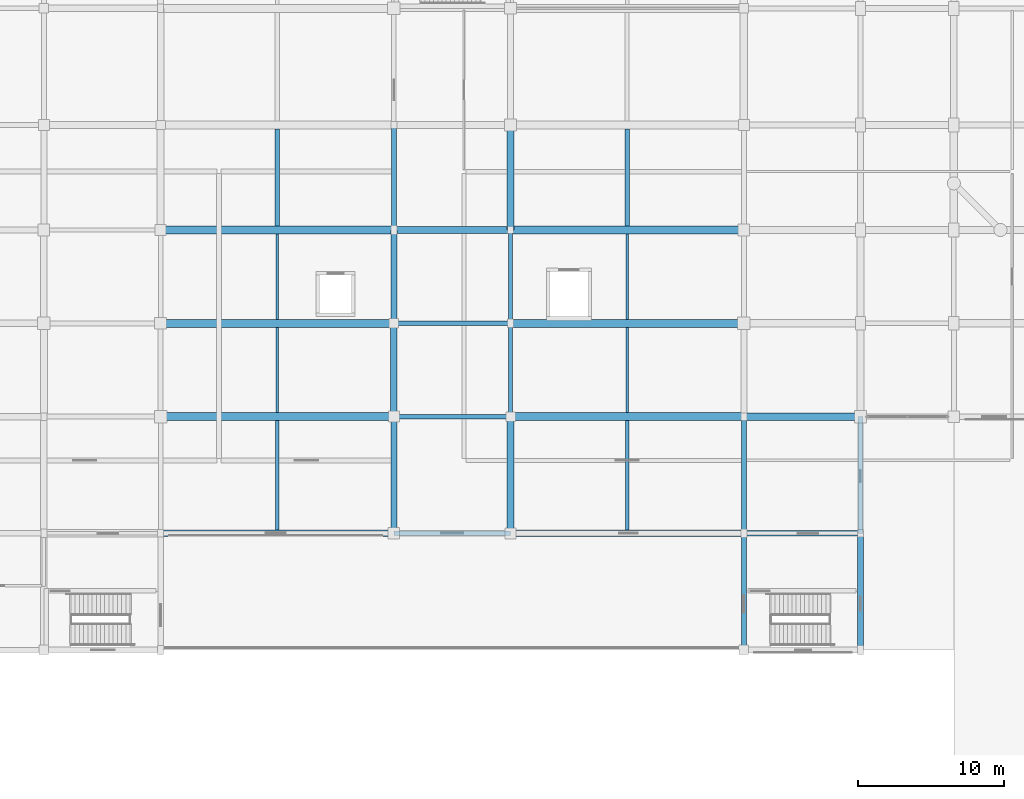
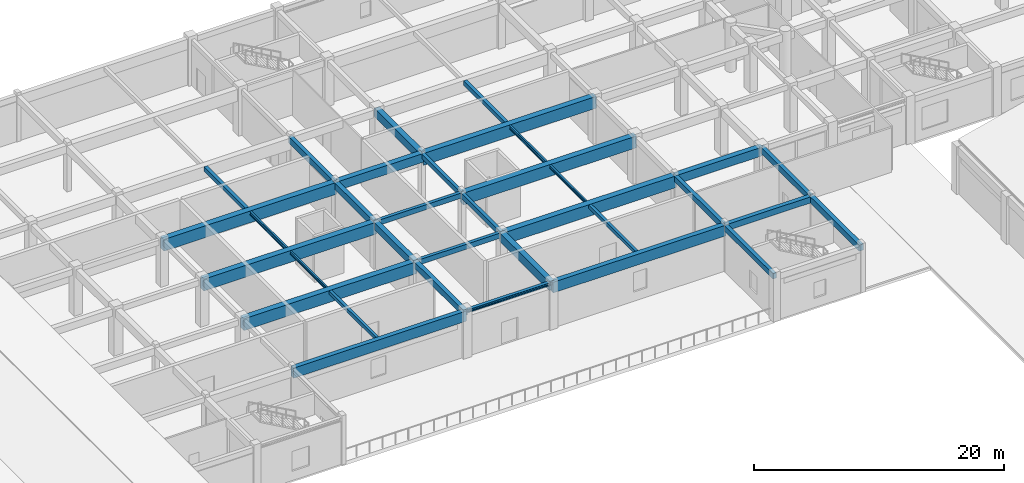
# One storey, part 13 of 61: 34 beams.
"""IFC4 building model written with IfcOpenShell, lengths in metres."""

from ifc_helpers import new_model, si_unit, direction, frame, origin, origin_2d, place, context, subcontext, project, spatial, rectangle, i_section, extrude, material, material_profile, profile_set, type_object, element, save


model = new_model("IFC4")

# Units and contexts
model_context = context("Model", 3, precision=1e-05, world=origin(), true_north=direction((0.0, 1.0)))
body_context = subcontext(model_context, "Body", "Model", "MODEL_VIEW")
ifc_project = project(units=[si_unit("LENGTHUNIT", "METRE"), si_unit("AREAUNIT", "SQUARE_METRE"), si_unit("VOLUMEUNIT", "CUBIC_METRE"), si_unit("PLANEANGLEUNIT", "RADIAN"), si_unit("MASSUNIT", "GRAM", prefix="KILO")], contexts=[model_context])

# Site, building, storey
site_placement = place(None, origin())
site = spatial("IfcSite", under=ifc_project, at=site_placement, CompositionType="ELEMENT")
building_placement = place(site_placement, origin())
building = spatial("IfcBuilding", under=site, at=building_placement, Name="Vellmiral Cinema and Media Centre", CompositionType="ELEMENT")
storey_placement = place(building_placement, frame((0.0, 0.0, 10.800048828125)))
storey = spatial("IfcBuildingStorey", under=building, at=storey_placement, Name="L02", CompositionType="ELEMENT", Elevation=10.800048828125)

# Beams
ifc_material_1 = material(Name="Concrete C40/50", Category="concrete")
ifc_material_profile_1 = material_profile(ifc_material_1, rectangle(XDim=0.300048828125, YDim=0.449951171875, at=origin_2d()), Name="RC 300x450")
ifc_profile_set_1 = profile_set([ifc_material_profile_1], Name="Concrete C40/50")
beam_type_1 = type_object("IfcBeamType", Name="BM-RC-300x450", PredefinedType="BEAM", material=ifc_profile_set_1)
beam_1_placement = place(storey_placement, frame((86.39990234375, 65.60009765625, 4.27001953125), z_axis=(0.0, 1.0, 0.0), x_axis=(-1.0, 0.0, 0.0)))
element("IfcBeam", 1, at=beam_1_placement, inside=storey, type_object=beam_type_1, Name="Grid Beam L02-Y127", PredefinedType="BEAM", context=body_context, shape_type="SweptSolid", body=[
    extrude(rectangle(XDim=0.300048828125, YDim=0.449951171875, at=origin_2d()), origin(), (0.0, 0.0, 1.0), 6.39990234375),
])
ifc_material_2 = material(Name="Concrete C40/50", Category="concrete")
ifc_material_profile_2 = material_profile(ifc_material_2, rectangle(XDim=0.300048828125, YDim=0.5, at=origin_2d()), Name="RC 300x500")
ifc_profile_set_2 = profile_set([ifc_material_profile_2], Name="Concrete C40/50")
beam_type_2 = type_object("IfcBeamType", Name="BM-RC-300x500", PredefinedType="BEAM", material=ifc_profile_set_2)
for number, where, z_axis, x_axis, name in (
    (2, (78.39990234375, 59.199951171875, 4.244873046875), (1.0, 0.0, 0.0), (0.0, 1.0, 0.0), "Grid Beam L02-X013"),
    (3, (78.39990234375, 65.60009765625, 4.244873046875), (1.0, 0.0, 0.0), (0.0, 1.0, 0.0), "Grid Beam L02-X024"),
):
    element("IfcBeam", number, at=place(storey_placement, frame(where, z_axis=z_axis, x_axis=x_axis)), inside=storey, type_object=beam_type_2, Name=name, PredefinedType="BEAM", context=body_context, shape_type="SweptSolid", body=[
        extrude(rectangle(XDim=0.300048828125, YDim=0.5, at=origin_2d()), origin(), (0.0, 0.0, 1.0), 8.0),
    ])
beam_2_placement = place(storey_placement, frame((86.39990234375, 59.199951171875, 4.244873046875), z_axis=(0.0, 1.0, 0.0), x_axis=(-1.0, 0.0, 0.0)))
element("IfcBeam", 4, at=beam_2_placement, inside=storey, type_object=beam_type_2, Name="Grid Beam L02-Y126", PredefinedType="BEAM", context=body_context, shape_type="SweptSolid", body=[
    extrude(rectangle(XDim=0.300048828125, YDim=0.5, at=origin_2d()), origin(), (0.0, 0.0, 1.0), 6.400146484375),
])
ifc_material_3 = material(Name="Concrete C40/50", Category="concrete")
ifc_material_profile_3 = material_profile(ifc_material_3, rectangle(XDim=0.35009765625, YDim=0.550048828125, at=origin_2d()), Name="RC 350x550")
ifc_profile_set_3 = profile_set([ifc_material_profile_3], Name="Concrete C40/50")
beam_type_3 = type_object("IfcBeamType", Name="BM-RC-350x550", PredefinedType="BEAM", material=ifc_profile_set_3)
beam_3_placement = place(storey_placement, frame((102.39990234375, 51.199951171875, 4.219970703125), z_axis=(0.0, 1.0, 0.0), x_axis=(-1.0, 0.0, 0.0)))
element("IfcBeam", 5, at=beam_3_placement, inside=storey, type_object=beam_type_3, Name="Grid Beam L02-Y132", PredefinedType="BEAM", context=body_context, shape_type="SweptSolid", body=[
    extrude(rectangle(XDim=0.35009765625, YDim=0.550048828125, at=origin_2d()), origin(), (0.0, 0.0, 1.0), 8.0),
])
ifc_material_4 = material(Name="Concrete C40/50", Category="concrete")
ifc_material_profile_4 = material_profile(ifc_material_4, rectangle(XDim=0.35009765625, YDim=0.60009765625, at=origin_2d()), Name="RC 350x600")
ifc_profile_set_4 = profile_set([ifc_material_profile_4], Name="Concrete C40/50")
beam_type_4 = type_object("IfcBeamType", Name="BM-RC-350x600", PredefinedType="BEAM", material=ifc_profile_set_4)
beam_4_placement = place(storey_placement, frame((78.39990234375, 72.0, 4.195068359375), z_axis=(0.0, 1.0, 0.0), x_axis=(-1.0, 0.0, 0.0)))
element("IfcBeam", 6, at=beam_4_placement, inside=storey, type_object=beam_type_4, Name="Grid Beam L02-Y122", PredefinedType="BEAM", context=body_context, shape_type="SweptSolid", body=[
    extrude(rectangle(XDim=0.35009765625, YDim=0.60009765625, at=origin_2d()), origin(), (0.0, 0.0, 1.0), 7.199951171875),
])
ifc_material_5 = material(Name="Concrete C40/50", Category="concrete")
ifc_material_profile_5 = material_profile(ifc_material_5, rectangle(XDim=0.39990234375, YDim=0.60009765625, at=origin_2d()), Name="RC 400x600")
ifc_profile_set_5 = profile_set([ifc_material_profile_5], Name="Concrete C40/50")
beam_type_5 = type_object("IfcBeamType", Name="BM-RC-400x600", PredefinedType="BEAM", material=ifc_profile_set_5)
for number, where, z_axis, x_axis, name in (
    (7, (102.39990234375, 51.199951171875, 4.195068359375), (1.0, 0.0, 0.0), (0.0, 1.0, 0.0), "Grid Beam L02-X009"),
    (8, (78.39990234375, 51.199951171875, 4.195068359375), (0.0, 1.0, 0.0), (-1.0, 0.0, 0.0), "Grid Beam L02-Y119"),
):
    element("IfcBeam", number, at=place(storey_placement, frame(where, z_axis=z_axis, x_axis=x_axis)), inside=storey, type_object=beam_type_5, Name=name, PredefinedType="BEAM", context=body_context, shape_type="SweptSolid", body=[
        extrude(rectangle(XDim=0.39990234375, YDim=0.60009765625, at=origin_2d()), origin(), (0.0, 0.0, 1.0), 8.0),
    ])
ifc_material_6 = material(Name="Concrete C40/50", Category="concrete")
ifc_material_profile_6 = material_profile(ifc_material_6, rectangle(XDim=0.39990234375, YDim=0.64990234375, at=origin_2d()), Name="RC 400x650")
ifc_profile_set_6 = profile_set([ifc_material_profile_6], Name="Concrete C40/50")
beam_type_6 = type_object("IfcBeamType", Name="BM-RC-400x650", PredefinedType="BEAM", material=ifc_profile_set_6)
beam_5_placement = place(storey_placement, frame((78.39990234375, 65.60009765625, 4.169921875), z_axis=(0.0, 1.0, 0.0), x_axis=(-1.0, 0.0, 0.0)))
element("IfcBeam", 9, at=beam_5_placement, inside=storey, type_object=beam_type_6, Name="Grid Beam L02-Y121", PredefinedType="BEAM", context=body_context, shape_type="SweptSolid", body=[
    extrude(rectangle(XDim=0.39990234375, YDim=0.64990234375, at=origin_2d()), origin(), (0.0, 0.0, 1.0), 6.39990234375),
])
ifc_material_7 = material(Name="Concrete C40/50", Category="concrete")
ifc_material_profile_7 = material_profile(ifc_material_7, rectangle(XDim=0.449951171875, YDim=0.699951171875, at=origin_2d()), Name="RC 450x700")
ifc_profile_set_7 = profile_set([ifc_material_profile_7], Name="Concrete C40/50")
beam_type_7 = type_object("IfcBeamType", Name="BM-RC-450x700", PredefinedType="BEAM", material=ifc_profile_set_7)
beam_6_placement = place(storey_placement, frame((78.39990234375, 59.199951171875, 4.14501953125), z_axis=(0.0, 1.0, 0.0), x_axis=(-1.0, 0.0, 0.0)))
element("IfcBeam", 10, at=beam_6_placement, inside=storey, type_object=beam_type_7, Name="Grid Beam L02-Y120", PredefinedType="BEAM", context=body_context, shape_type="SweptSolid", body=[
    extrude(rectangle(XDim=0.449951171875, YDim=0.699951171875, at=origin_2d()), origin(), (0.0, 0.0, 1.0), 6.400146484375),
])
ifc_material_8 = material(Name="Concrete C40/50", Category="concrete")
ifc_material_profile_8 = material_profile(ifc_material_8, rectangle(XDim=0.5, YDim=0.800048828125, at=origin_2d()), Name="RC 500x800")
ifc_profile_set_8 = profile_set([ifc_material_profile_8], Name="Concrete C40/50")
beam_type_8 = type_object("IfcBeamType", Name="BM-RC-500x800", PredefinedType="BEAM", material=ifc_profile_set_8)
beam_7_placement = place(storey_placement, frame((86.39990234375, 72.0, 4.094970703125), z_axis=(0.0, 1.0, 0.0), x_axis=(-1.0, 0.0, 0.0)))
element("IfcBeam", 11, at=beam_7_placement, inside=storey, type_object=beam_type_8, Name="Grid Beam L02-Y128", PredefinedType="BEAM", context=body_context, shape_type="SweptSolid", body=[
    extrude(rectangle(XDim=0.5, YDim=0.800048828125, at=origin_2d()), origin(), (0.0, 0.0, 1.0), 7.199951171875),
])
ifc_material_9 = material(Name="Concrete C40/50", Category="concrete")
ifc_material_profile_9 = material_profile(ifc_material_9, rectangle(XDim=0.5, YDim=0.85009765625, at=origin_2d()), Name="RC 500x850")
ifc_profile_set_9 = profile_set([ifc_material_profile_9], Name="Concrete C40/50")
beam_type_9 = type_object("IfcBeamType", Name="BM-RC-500x850", PredefinedType="BEAM", material=ifc_profile_set_9)
for number, where, z_axis, x_axis, name in (
    (12, (102.39990234375, 59.199951171875, 4.070068359375), (1.0, 0.0, 0.0), (0.0, 1.0, 0.0), "Grid Beam L02-X015"),
    (13, (78.39990234375, 72.0, 4.070068359375), (1.0, 0.0, 0.0), (0.0, 1.0, 0.0), "Grid Beam L02-X037"),
    (14, (86.39990234375, 51.199951171875, 4.070068359375), (0.0, 1.0, 0.0), (-1.0, 0.0, 0.0), "Grid Beam L02-Y125"),
):
    element("IfcBeam", number, at=place(storey_placement, frame(where, z_axis=z_axis, x_axis=x_axis)), inside=storey, type_object=beam_type_9, Name=name, PredefinedType="BEAM", context=body_context, shape_type="SweptSolid", body=[
        extrude(rectangle(XDim=0.5, YDim=0.85009765625, at=origin_2d()), origin(), (0.0, 0.0, 1.0), 8.0),
    ])
ifc_material_10 = material(Name="Concrete C40/50", Category="concrete")
ifc_material_profile_10 = material_profile(ifc_material_10, rectangle(XDim=0.550048828125, YDim=1.14990234375, at=origin_2d()), Name="RC 550x1150")
ifc_profile_set_10 = profile_set([ifc_material_profile_10], Name="Concrete C40/50")
beam_type_10 = type_object("IfcBeamType", Name="BM-RCG-550x1150", PredefinedType="BEAM", material=ifc_profile_set_10)
for number, where, z_axis, x_axis, name in (
    (15, (62.39990234375, 59.199951171875, 3.919921875), (1.0, 0.0, 0.0), (0.0, 1.0, 0.0), "Grid Beam L02-X012"),
    (16, (86.39990234375, 59.199951171875, 3.919921875), (1.0, 0.0, 0.0), (0.0, 1.0, 0.0), "Grid Beam L02-X014"),
    (17, (62.39990234375, 65.60009765625, 3.919921875), (1.0, 0.0, 0.0), (0.0, 1.0, 0.0), "Grid Beam L02-X023"),
    (18, (86.39990234375, 65.60009765625, 3.919921875), (1.0, 0.0, 0.0), (0.0, 1.0, 0.0), "Grid Beam L02-X025"),
    (19, (62.39990234375, 72.0, 3.919921875), (1.0, 0.0, 0.0), (0.0, 1.0, 0.0), "Grid Beam L02-X036"),
    (20, (86.39990234375, 72.0, 3.919921875), (1.0, 0.0, 0.0), (0.0, 1.0, 0.0), "Grid Beam L02-X038"),
):
    element("IfcBeam", number, at=place(storey_placement, frame(where, z_axis=z_axis, x_axis=x_axis)), inside=storey, type_object=beam_type_10, Name=name, PredefinedType="BEAM", context=body_context, shape_type="SweptSolid", body=[
        extrude(rectangle(XDim=0.550048828125, YDim=1.14990234375, at=origin_2d()), origin(), (0.0, 0.0, 1.0), 16.0),
    ])
ifc_material_11 = material(Name="Concrete C40/50", Category="concrete")
ifc_material_profile_11 = material_profile(ifc_material_11, rectangle(XDim=0.25, YDim=0.35009765625, at=origin_2d()), Name="RC 250x350")
ifc_profile_set_11 = profile_set([ifc_material_profile_11], Name="Concrete C40/50")
beam_type_11 = type_object("IfcBeamType", Name="JST-RC-250x350", PredefinedType="JOIST", material=ifc_profile_set_11)
beam_8_placement = place(storey_placement, frame((70.39990234375, 51.409912109375, 4.320068359375), z_axis=(0.0, 1.0, 0.0), x_axis=(-1.0, 0.0, 0.0)))
element("IfcBeam", 21, at=beam_8_placement, inside=storey, type_object=beam_type_11, Name="Secondary Floor Joist L02-001", PredefinedType="JOIST", context=body_context, shape_type="SweptSolid", body=[
    extrude(rectangle(XDim=0.25, YDim=0.35009765625, at=origin_2d()), origin(), (0.0, 0.0, 1.0), 7.51513671875),
])
beam_9_placement = place(storey_placement, frame((94.39990234375, 51.425048828125, 4.320068359375), z_axis=(0.0, 1.0, 0.0), x_axis=(-1.0, 0.0, 0.0)))
element("IfcBeam", 22, at=beam_9_placement, inside=storey, type_object=beam_type_11, Name="Secondary Floor Joist L02-007", PredefinedType="JOIST", context=body_context, shape_type="SweptSolid", body=[
    extrude(rectangle(XDim=0.25, YDim=0.35009765625, at=origin_2d()), origin(), (0.0, 0.0, 1.0), 7.5),
])
ifc_material_12 = material(Name="Concrete C40/50", Category="concrete")
ifc_material_profile_12 = material_profile(ifc_material_12, rectangle(XDim=0.300048828125, YDim=0.419921875, at=origin_2d()), Name="RC 300x420")
ifc_profile_set_12 = profile_set([ifc_material_profile_12], Name="Concrete C40/50")
beam_type_12 = type_object("IfcBeamType", Name="JST-RC-300x420", PredefinedType="JOIST", material=ifc_profile_set_12)
for number, where, z_axis, x_axis, name in (
    (23, (70.39990234375, 72.27490234375, 4.284912109375), (0.0, 1.0, 0.0), (-1.0, 0.0, 0.0), "Secondary Floor Joist L02-004"),
    (24, (94.39990234375, 72.27490234375, 4.284912109375), (0.0, 1.0, 0.0), (-1.0, 0.0, 0.0), "Secondary Floor Joist L02-010"),
):
    element("IfcBeam", number, at=place(storey_placement, frame(where, z_axis=z_axis, x_axis=x_axis)), inside=storey, type_object=beam_type_12, Name=name, PredefinedType="JOIST", context=body_context, shape_type="SweptSolid", body=[
        extrude(rectangle(XDim=0.300048828125, YDim=0.419921875, at=origin_2d()), origin(), (0.0, 0.0, 1.0), 6.650146484375),
    ])
ifc_material_13 = material(Name="Steel S355", Category="steel")
ifc_material_profile_13 = material_profile(ifc_material_13, i_section(OverallWidth=0.300048828125, OverallDepth=0.300048828125, WebThickness=0.010986328125, FlangeThickness=0.01904296875, FilletRadius=0.027099609375, at=origin_2d()), Name="HEB 300")
ifc_profile_set_13 = profile_set([ifc_material_profile_13], Name="Steel S355")
beam_type_13 = type_object("IfcBeamType", Name="SBM-HEB300", PredefinedType="SPANDREL", material=ifc_profile_set_13)
beam_10_placement = place(storey_placement, frame((78.39990234375, 51.199951171875, 4.344970703125), z_axis=(1.0, 0.0, 0.0), x_axis=(0.0, 1.0, 0.0)))
element("IfcBeam", 25, at=beam_10_placement, inside=storey, type_object=beam_type_13, Name="Grid Beam L02-X007", PredefinedType="SPANDREL", context=body_context, shape_type="SweptSolid", body=[
    extrude(i_section(OverallWidth=0.300048828125, OverallDepth=0.300048828125, WebThickness=0.010986328125, FlangeThickness=0.01904296875, FilletRadius=0.027099609375, at=origin_2d()), origin(), (0.0, 0.0, 1.0), 8.0),
])
ifc_material_14 = material(Name="Steel S355", Category="steel")
ifc_material_profile_14 = material_profile(ifc_material_14, i_section(OverallWidth=0.14990234375, OverallDepth=0.300048828125, WebThickness=0.007080078125, FlangeThickness=0.0107421875, FilletRadius=0.014892578125, at=origin_2d()), Name="IPE 300")
ifc_profile_set_14 = profile_set([ifc_material_profile_14], Name="Steel S355")
beam_type_14 = type_object("IfcBeamType", Name="SBM-IPE300", PredefinedType="JOIST", material=ifc_profile_set_14)
for number, where, z_axis, x_axis, name in (
    (26, (70.39990234375, 59.47509765625, 4.344970703125), (0.0, 1.0, 0.0), (-1.0, 0.0, 0.0), "Secondary Floor Joist L02-002"),
    (27, (94.39990234375, 59.47509765625, 4.344970703125), (0.0, 1.0, 0.0), (-1.0, 0.0, 0.0), "Secondary Floor Joist L02-008"),
):
    element("IfcBeam", number, at=place(storey_placement, frame(where, z_axis=z_axis, x_axis=x_axis)), inside=storey, type_object=beam_type_14, Name=name, PredefinedType="JOIST", context=body_context, shape_type="SweptSolid", body=[
        extrude(i_section(OverallWidth=0.14990234375, OverallDepth=0.300048828125, WebThickness=0.007080078125, FlangeThickness=0.0107421875, FilletRadius=0.014892578125, at=origin_2d()), origin(), (0.0, 0.0, 1.0), 5.849853515625),
    ])
ifc_material_15 = material(Name="Steel S355", Category="steel")
ifc_material_profile_15 = material_profile(ifc_material_15, i_section(OverallWidth=0.169921875, OverallDepth=0.360107421875, WebThickness=0.008056640625, FlangeThickness=0.0126953125, FilletRadius=0.01806640625, at=origin_2d()), Name="IPE 360")
ifc_profile_set_15 = profile_set([ifc_material_profile_15], Name="Steel S355")
beam_type_15 = type_object("IfcBeamType", Name="SBM-IPE360", PredefinedType="JOIST", material=ifc_profile_set_15)
for number, where, z_axis, x_axis, name in (
    (28, (70.39990234375, 65.875, 4.31494140625), (0.0, 1.0, 0.0), (-1.0, 0.0, 0.0), "Secondary Floor Joist L02-003"),
    (29, (94.39990234375, 65.875, 4.31494140625), (0.0, 1.0, 0.0), (-1.0, 0.0, 0.0), "Secondary Floor Joist L02-009"),
):
    element("IfcBeam", number, at=place(storey_placement, frame(where, z_axis=z_axis, x_axis=x_axis)), inside=storey, type_object=beam_type_15, Name=name, PredefinedType="JOIST", context=body_context, shape_type="SweptSolid", body=[
        extrude(i_section(OverallWidth=0.169921875, OverallDepth=0.360107421875, WebThickness=0.008056640625, FlangeThickness=0.0126953125, FilletRadius=0.01806640625, at=origin_2d()), origin(), (0.0, 0.0, 1.0), 5.85009765625),
    ])
ifc_material_16 = material(Name="Concrete C40/50", Category="concrete")
ifc_material_profile_16 = material_profile(ifc_material_16, rectangle(XDim=0.35009765625, YDim=0.56005859375, at=origin_2d()), Name="RC 350x560")
ifc_profile_set_16 = profile_set([ifc_material_profile_16], Name="Concrete C40/50")
beam_type_16 = type_object("IfcBeamType", Name="SPD-RC-350x560", PredefinedType="SPANDREL", material=ifc_profile_set_16)
beam_11_placement = place(storey_placement, frame((110.39990234375, 51.199951171875, 4.21484375), z_axis=(0.0, 1.0, 0.0), x_axis=(-1.0, 0.0, 0.0)))
element("IfcBeam", 30, at=beam_11_placement, inside=storey, type_object=beam_type_16, Name="Grid Beam L02-Y139", PredefinedType="SPANDREL", context=body_context, shape_type="SweptSolid", body=[
    extrude(rectangle(XDim=0.35009765625, YDim=0.56005859375, at=origin_2d()), origin(), (0.0, 0.0, 1.0), 8.0),
])
ifc_material_17 = material(Name="Concrete C40/50", Category="concrete")
ifc_material_profile_17 = material_profile(ifc_material_17, rectangle(XDim=0.39990234375, YDim=0.60009765625, at=origin_2d()), Name="RC 400x600")
ifc_profile_set_17 = profile_set([ifc_material_profile_17], Name="Concrete C40/50")
beam_type_17 = type_object("IfcBeamType", Name="SPD-RC-400x600", PredefinedType="SPANDREL", material=ifc_profile_set_17)
beam_12_placement = place(storey_placement, frame((110.39990234375, 43.199951171875, 4.195068359375), z_axis=(0.0, 1.0, 0.0), x_axis=(-1.0, 0.0, 0.0)))
element("IfcBeam", 31, at=beam_12_placement, inside=storey, type_object=beam_type_17, Name="Grid Beam L02-Y138", PredefinedType="SPANDREL", context=body_context, shape_type="SweptSolid", body=[
    extrude(rectangle(XDim=0.39990234375, YDim=0.60009765625, at=origin_2d()), origin(), (0.0, 0.0, 1.0), 8.0),
])
ifc_material_18 = material(Name="Concrete C40/50", Category="concrete")
ifc_material_profile_18 = material_profile(ifc_material_18, rectangle(XDim=0.449951171875, YDim=1.050048828125, at=origin_2d()), Name="RC 450x1050")
ifc_profile_set_18 = profile_set([ifc_material_profile_18], Name="Concrete C40/50")
beam_type_18 = type_object("IfcBeamType", Name="SPD-RCG-450x1050", PredefinedType="SPANDREL", material=ifc_profile_set_18)
beam_13_placement = place(storey_placement, frame((86.39990234375, 51.199951171875, 3.969970703125), z_axis=(1.0, 0.0, 0.0), x_axis=(0.0, 1.0, 0.0)))
element("IfcBeam", 32, at=beam_13_placement, inside=storey, type_object=beam_type_18, Name="Grid Beam L02-X008", PredefinedType="SPANDREL", context=body_context, shape_type="SweptSolid", body=[
    extrude(rectangle(XDim=0.449951171875, YDim=1.050048828125, at=origin_2d()), origin(), (0.0, 0.0, 1.0), 16.0),
])
ifc_material_19 = material(Name="Vosges Red Sandstone Masonry", Category="masonry")
ifc_material_profile_19 = material_profile(ifc_material_19, rectangle(XDim=0.340087890625, YDim=0.52001953125, at=origin_2d()), Name="SAND 340x520")
ifc_profile_set_19 = profile_set([ifc_material_profile_19], Name="Vosges Red Sandstone Masonry")
beam_type_19 = type_object("IfcBeamType", Name="SPD-SAND-340x520", PredefinedType="SPANDREL", material=ifc_profile_set_19)
beam_14_placement = place(storey_placement, frame((102.39990234375, 43.199951171875, 4.23486328125), z_axis=(0.0, 1.0, 0.0), x_axis=(-1.0, 0.0, 0.0)))
element("IfcBeam", 33, at=beam_14_placement, inside=storey, type_object=beam_type_19, Name="Grid Beam L02-Y131", PredefinedType="SPANDREL", context=body_context, shape_type="SweptSolid", body=[
    extrude(rectangle(XDim=0.340087890625, YDim=0.52001953125, at=origin_2d()), origin(), (0.0, 0.0, 1.0), 8.0),
])
ifc_material_20 = material(Name="Vosges Red Sandstone Masonry", Category="masonry")
ifc_material_profile_20 = material_profile(ifc_material_20, rectangle(XDim=0.419921875, YDim=1.0, at=origin_2d()), Name="SAND 420x1000")
ifc_profile_set_20 = profile_set([ifc_material_profile_20], Name="Vosges Red Sandstone Masonry")
beam_type_20 = type_object("IfcBeamType", Name="SPD-SANDG-420x1000", PredefinedType="SPANDREL", material=ifc_profile_set_20)
beam_15_placement = place(storey_placement, frame((62.39990234375, 51.199951171875, 3.994873046875), z_axis=(1.0, 0.0, 0.0), x_axis=(0.0, 1.0, 0.0)))
element("IfcBeam", 34, at=beam_15_placement, inside=storey, type_object=beam_type_20, Name="Grid Beam L02-X006", PredefinedType="SPANDREL", context=body_context, shape_type="SweptSolid", body=[
    extrude(rectangle(XDim=0.419921875, YDim=1.0, at=origin_2d()), origin(), (0.0, 0.0, 1.0), 16.0),
])

save(model, "model.ifc")
